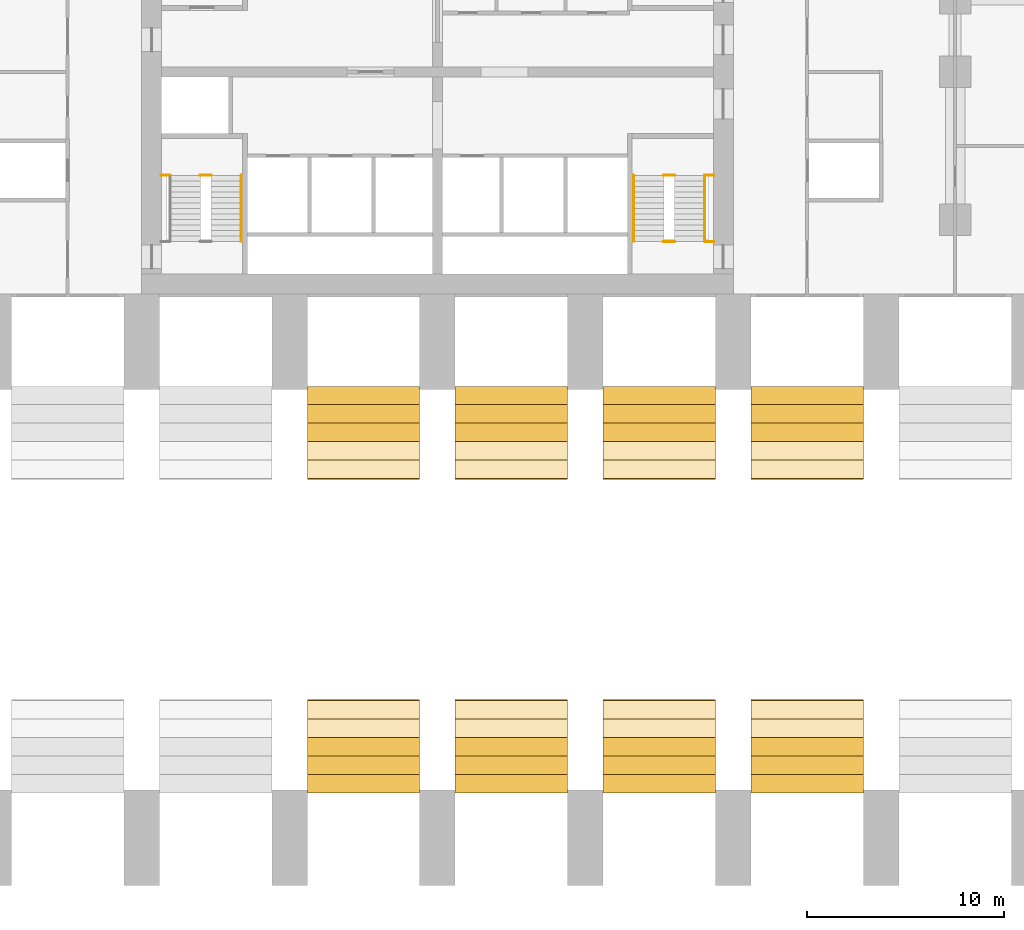
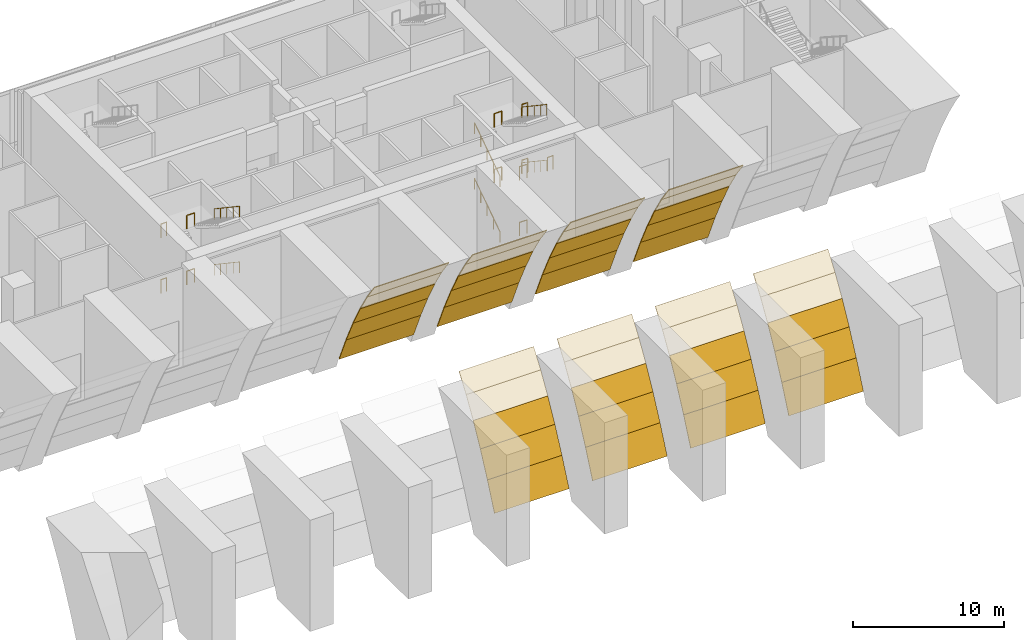
# One storey, part 12 of 14: 40 coverings, 17 railings.
"""IFC4 building model written with IfcOpenShell, lengths in metres."""

from ifc_helpers import new_model, si_unit, direction, frame, origin, origin_2d, place, context, subcontext, project, spatial, polyline, circle, outline, extrude, material, layer, layer_set, type_object, element, save


model = new_model("IFC4")

# Units and contexts
model_context = context("Model", 3, precision=1e-05, world=origin(), true_north=direction((0.0, 1.0)))
body_context = subcontext(model_context, "Body", "Model", "MODEL_VIEW")
ifc_project = project(units=[si_unit("LENGTHUNIT", "METRE"), si_unit("AREAUNIT", "SQUARE_METRE"), si_unit("VOLUMEUNIT", "CUBIC_METRE"), si_unit("PLANEANGLEUNIT", "RADIAN"), si_unit("MASSUNIT", "GRAM", prefix="KILO")], contexts=[model_context])

# Site, building, storey
site_placement = place(None, origin())
site = spatial("IfcSite", under=ifc_project, at=site_placement, CompositionType="ELEMENT")
building_placement = place(site_placement, origin())
building = spatial("IfcBuilding", under=site, at=building_placement, Name="Pilkhan Gate Tower", CompositionType="ELEMENT")
storey_placement = place(building_placement, frame((0.0, 0.0, 7.5)))
storey = spatial("IfcBuildingStorey", under=building, at=storey_placement, Name="L01", CompositionType="ELEMENT", Elevation=7.5)

# Coverings
ifc_material_1 = material(Name="Concrete C40/50 precast", Category="concrete")
ifc_layer = layer(ifc_material_1, 0.06005859375)
ifc_layer_set = layer_set([ifc_layer], Name="Arch soffit panel ARC")
covering_type = type_object("IfcCoveringType", Name="Arch soffit panel ARC", PredefinedType="CLADDING", material=ifc_layer_set)
covering_1_placement = place(storey_placement, frame((68.39990234375, 45.9375, 0.83984375), z_axis=(0.0, -0.915717290087, 0.401823150946), x_axis=(1.0, 0.0, 0.0)))
element("IfcCovering", 1, at=covering_1_placement, inside=storey, type_object=covering_type, Name="Arch soffit panel ARC-5.2", PredefinedType="CLADDING", context=body_context, shape_type="SweptSolid", body=[
    extrude(outline(polyline([(0.0, 0.0), (5.7001953125, 0.0), (5.7001953125, 2.333115943647906), (0.0, 2.333115943647906), (0.0, 0.0)])), origin(), (0.0, 0.0, -1.0), 0.06005859375),
])
covering_2_placement = place(storey_placement, frame((68.39990234375, 46.875, 2.976318359375), z_axis=(0.0, -0.899770845006, 0.436362723519), x_axis=(1.0, 0.0, 0.0)))
element("IfcCovering", 2, at=covering_2_placement, inside=storey, type_object=covering_type, Name="Arch soffit panel ARC-5.3", PredefinedType="CLADDING", context=body_context, shape_type="SweptSolid", body=[
    extrude(outline(polyline([(0.0, 0.0), (5.7001953125, 0.0), (5.7001953125, 2.1484419944022592), (0.0, 2.1484419944022592), (0.0, 0.0)])), origin(), (0.0, 0.0, -1.0), 0.06005859375),
])
covering_3_placement = place(storey_placement, frame((68.39990234375, 47.8125, 4.909423828125), z_axis=(0.0, -0.879144666887, 0.476554986003), x_axis=(1.0, 0.0, 0.0)))
element("IfcCovering", 3, at=covering_3_placement, inside=storey, type_object=covering_type, Name="Arch soffit panel ARC-5.4", PredefinedType="CLADDING", context=body_context, shape_type="SweptSolid", body=[
    extrude(outline(polyline([(0.0, 0.0), (5.7001953125, 0.0), (5.7001953125, 1.967244132440998), (0.0, 1.967244132440998), (0.0, 0.0)])), origin(), (0.0, 0.0, -1.0), 0.06005859375),
])
covering_4_placement = place(storey_placement, frame((68.39990234375, 48.75, 6.638916015625), z_axis=(0.0, -0.852069906961, 0.523428002357), x_axis=(1.0, 0.0, 0.0)))
element("IfcCovering", 4, at=covering_4_placement, inside=storey, type_object=covering_type, Name="Arch soffit panel ARC-5.5", PredefinedType="CLADDING", context=body_context, shape_type="SweptSolid", body=[
    extrude(outline(polyline([(0.0, 0.0), (5.7001953125, 0.0), (5.7001953125, 1.7910772747715364), (0.0, 1.7910772747715364), (0.0, 0.0)])), origin(), (0.0, 0.0, -1.0), 0.06005859375),
])
for number, where, z_axis, x_axis, name in (
    (5, (68.39990234375, 49.6875, 8.1650390625), (0.0, -0.81581427996, 0.578313980994), (1.0, 0.0, 0.0), "Arch soffit panel ARC-5.6"),
    (6, (68.39990234375, 61.875, 9.487548828125), (0.0, 0.81581427996, 0.578313980994), (1.0, 0.0, 0.0), "Arch soffit panel ARC-5.19"),
):
    element("IfcCovering", number, at=place(storey_placement, frame(where, z_axis=z_axis, x_axis=x_axis)), inside=storey, type_object=covering_type, Name=name, PredefinedType="CLADDING", context=body_context, shape_type="SweptSolid", body=[
        extrude(outline(polyline([(0.0, 0.0), (5.7001953125, 0.0), (5.7001953125, 1.6210917093654795), (0.0, 1.6210917093654795), (0.0, 0.0)])), origin(), (0.0, 0.0, -1.0), 0.06005859375),
    ])
covering_5_placement = place(storey_placement, frame((68.39990234375, 62.8125, 8.1650390625), z_axis=(0.0, 0.852069906961, 0.523428002357), x_axis=(1.0, 0.0, 0.0)))
element("IfcCovering", 7, at=covering_5_placement, inside=storey, type_object=covering_type, Name="Arch soffit panel ARC-5.20", PredefinedType="CLADDING", context=body_context, shape_type="SweptSolid", body=[
    extrude(outline(polyline([(0.0, 0.0), (5.7001953125, 0.0), (5.7001953125, 1.7910772747715364), (0.0, 1.7910772747715364), (0.0, 0.0)])), origin(), (0.0, 0.0, -1.0), 0.06005859375),
])
covering_6_placement = place(storey_placement, frame((68.39990234375, 63.75, 6.638916015625), z_axis=(0.0, 0.879144666887, 0.476554986003), x_axis=(1.0, 0.0, 0.0)))
element("IfcCovering", 8, at=covering_6_placement, inside=storey, type_object=covering_type, Name="Arch soffit panel ARC-5.21", PredefinedType="CLADDING", context=body_context, shape_type="SweptSolid", body=[
    extrude(outline(polyline([(0.0, 0.0), (5.7001953125, 0.0), (5.7001953125, 1.967244132440998), (0.0, 1.967244132440998), (0.0, 0.0)])), origin(), (0.0, 0.0, -1.0), 0.06005859375),
])
covering_7_placement = place(storey_placement, frame((68.39990234375, 64.6875, 4.909423828125), z_axis=(0.0, 0.899770845006, 0.436362723519), x_axis=(1.0, 0.0, 0.0)))
element("IfcCovering", 9, at=covering_7_placement, inside=storey, type_object=covering_type, Name="Arch soffit panel ARC-5.22", PredefinedType="CLADDING", context=body_context, shape_type="SweptSolid", body=[
    extrude(outline(polyline([(0.0, 0.0), (5.7001953125, 0.0), (5.7001953125, 2.1484419944022592), (0.0, 2.1484419944022592), (0.0, 0.0)])), origin(), (0.0, 0.0, -1.0), 0.06005859375),
])
for number, where, z_axis, x_axis, name in (
    (10, (68.39990234375, 65.625, 2.976318359375), (0.0, 0.915717290087, 0.401823150946), (1.0, 0.0, 0.0), "Arch soffit panel ARC-5.23"),
    (11, (75.89990234375, 45.9375, 0.83984375), (0.0, -0.915717290087, 0.401823150946), (1.0, 0.0, 0.0), "Arch soffit panel ARC-6.2"),
):
    element("IfcCovering", number, at=place(storey_placement, frame(where, z_axis=z_axis, x_axis=x_axis)), inside=storey, type_object=covering_type, Name=name, PredefinedType="CLADDING", context=body_context, shape_type="SweptSolid", body=[
        extrude(outline(polyline([(0.0, 0.0), (5.7001953125, 0.0), (5.7001953125, 2.333115943647906), (0.0, 2.333115943647906), (0.0, 0.0)])), origin(), (0.0, 0.0, -1.0), 0.06005859375),
    ])
covering_8_placement = place(storey_placement, frame((75.89990234375, 46.875, 2.976318359375), z_axis=(0.0, -0.899770845006, 0.436362723519), x_axis=(1.0, 0.0, 0.0)))
element("IfcCovering", 12, at=covering_8_placement, inside=storey, type_object=covering_type, Name="Arch soffit panel ARC-6.3", PredefinedType="CLADDING", context=body_context, shape_type="SweptSolid", body=[
    extrude(outline(polyline([(0.0, 0.0), (5.7001953125, 0.0), (5.7001953125, 2.1484419944022592), (0.0, 2.1484419944022592), (0.0, 0.0)])), origin(), (0.0, 0.0, -1.0), 0.06005859375),
])
covering_9_placement = place(storey_placement, frame((75.89990234375, 47.8125, 4.909423828125), z_axis=(0.0, -0.879144666887, 0.476554986003), x_axis=(1.0, 0.0, 0.0)))
element("IfcCovering", 13, at=covering_9_placement, inside=storey, type_object=covering_type, Name="Arch soffit panel ARC-6.4", PredefinedType="CLADDING", context=body_context, shape_type="SweptSolid", body=[
    extrude(outline(polyline([(0.0, 0.0), (5.7001953125, 0.0), (5.7001953125, 1.967244132440998), (0.0, 1.967244132440998), (0.0, 0.0)])), origin(), (0.0, 0.0, -1.0), 0.06005859375),
])
covering_10_placement = place(storey_placement, frame((75.89990234375, 48.75, 6.638916015625), z_axis=(0.0, -0.852069906961, 0.523428002357), x_axis=(1.0, 0.0, 0.0)))
element("IfcCovering", 14, at=covering_10_placement, inside=storey, type_object=covering_type, Name="Arch soffit panel ARC-6.5", PredefinedType="CLADDING", context=body_context, shape_type="SweptSolid", body=[
    extrude(outline(polyline([(0.0, 0.0), (5.7001953125, 0.0), (5.7001953125, 1.7910772747715364), (0.0, 1.7910772747715364), (0.0, 0.0)])), origin(), (0.0, 0.0, -1.0), 0.06005859375),
])
for number, where, z_axis, x_axis, name in (
    (15, (75.89990234375, 49.6875, 8.1650390625), (0.0, -0.81581427996, 0.578313980994), (1.0, 0.0, 0.0), "Arch soffit panel ARC-6.6"),
    (16, (75.89990234375, 61.875, 9.487548828125), (0.0, 0.81581427996, 0.578313980994), (1.0, 0.0, 0.0), "Arch soffit panel ARC-6.19"),
):
    element("IfcCovering", number, at=place(storey_placement, frame(where, z_axis=z_axis, x_axis=x_axis)), inside=storey, type_object=covering_type, Name=name, PredefinedType="CLADDING", context=body_context, shape_type="SweptSolid", body=[
        extrude(outline(polyline([(0.0, 0.0), (5.7001953125, 0.0), (5.7001953125, 1.6210917093654795), (0.0, 1.6210917093654795), (0.0, 0.0)])), origin(), (0.0, 0.0, -1.0), 0.06005859375),
    ])
covering_11_placement = place(storey_placement, frame((75.89990234375, 62.8125, 8.1650390625), z_axis=(0.0, 0.852069906961, 0.523428002357), x_axis=(1.0, 0.0, 0.0)))
element("IfcCovering", 17, at=covering_11_placement, inside=storey, type_object=covering_type, Name="Arch soffit panel ARC-6.20", PredefinedType="CLADDING", context=body_context, shape_type="SweptSolid", body=[
    extrude(outline(polyline([(0.0, 0.0), (5.7001953125, 0.0), (5.7001953125, 1.7910772747715364), (0.0, 1.7910772747715364), (0.0, 0.0)])), origin(), (0.0, 0.0, -1.0), 0.06005859375),
])
covering_12_placement = place(storey_placement, frame((75.89990234375, 63.75, 6.638916015625), z_axis=(0.0, 0.879144666887, 0.476554986003), x_axis=(1.0, 0.0, 0.0)))
element("IfcCovering", 18, at=covering_12_placement, inside=storey, type_object=covering_type, Name="Arch soffit panel ARC-6.21", PredefinedType="CLADDING", context=body_context, shape_type="SweptSolid", body=[
    extrude(outline(polyline([(0.0, 0.0), (5.7001953125, 0.0), (5.7001953125, 1.967244132440998), (0.0, 1.967244132440998), (0.0, 0.0)])), origin(), (0.0, 0.0, -1.0), 0.06005859375),
])
covering_13_placement = place(storey_placement, frame((75.89990234375, 64.6875, 4.909423828125), z_axis=(0.0, 0.899770845006, 0.436362723519), x_axis=(1.0, 0.0, 0.0)))
element("IfcCovering", 19, at=covering_13_placement, inside=storey, type_object=covering_type, Name="Arch soffit panel ARC-6.22", PredefinedType="CLADDING", context=body_context, shape_type="SweptSolid", body=[
    extrude(outline(polyline([(0.0, 0.0), (5.7001953125, 0.0), (5.7001953125, 2.1484419944022592), (0.0, 2.1484419944022592), (0.0, 0.0)])), origin(), (0.0, 0.0, -1.0), 0.06005859375),
])
for number, where, z_axis, x_axis, name in (
    (20, (75.89990234375, 65.625, 2.976318359375), (0.0, 0.915717290087, 0.401823150946), (1.0, 0.0, 0.0), "Arch soffit panel ARC-6.23"),
    (21, (83.39990234375, 45.9375, 0.83984375), (0.0, -0.915717290087, 0.401823150946), (1.0, 0.0, 0.0), "Arch soffit panel ARC-7.2"),
):
    element("IfcCovering", number, at=place(storey_placement, frame(where, z_axis=z_axis, x_axis=x_axis)), inside=storey, type_object=covering_type, Name=name, PredefinedType="CLADDING", context=body_context, shape_type="SweptSolid", body=[
        extrude(outline(polyline([(0.0, 0.0), (5.7001953125, 0.0), (5.7001953125, 2.333115943647906), (0.0, 2.333115943647906), (0.0, 0.0)])), origin(), (0.0, 0.0, -1.0), 0.06005859375),
    ])
covering_14_placement = place(storey_placement, frame((83.39990234375, 46.875, 2.976318359375), z_axis=(0.0, -0.899770845006, 0.436362723519), x_axis=(1.0, 0.0, 0.0)))
element("IfcCovering", 22, at=covering_14_placement, inside=storey, type_object=covering_type, Name="Arch soffit panel ARC-7.3", PredefinedType="CLADDING", context=body_context, shape_type="SweptSolid", body=[
    extrude(outline(polyline([(0.0, 0.0), (5.7001953125, 0.0), (5.7001953125, 2.1484419944022592), (0.0, 2.1484419944022592), (0.0, 0.0)])), origin(), (0.0, 0.0, -1.0), 0.06005859375),
])
covering_15_placement = place(storey_placement, frame((83.39990234375, 47.8125, 4.909423828125), z_axis=(0.0, -0.879144666887, 0.476554986003), x_axis=(1.0, 0.0, 0.0)))
element("IfcCovering", 23, at=covering_15_placement, inside=storey, type_object=covering_type, Name="Arch soffit panel ARC-7.4", PredefinedType="CLADDING", context=body_context, shape_type="SweptSolid", body=[
    extrude(outline(polyline([(0.0, 0.0), (5.7001953125, 0.0), (5.7001953125, 1.967244132440998), (0.0, 1.967244132440998), (0.0, 0.0)])), origin(), (0.0, 0.0, -1.0), 0.06005859375),
])
covering_16_placement = place(storey_placement, frame((83.39990234375, 48.75, 6.638916015625), z_axis=(0.0, -0.852069906961, 0.523428002357), x_axis=(1.0, 0.0, 0.0)))
element("IfcCovering", 24, at=covering_16_placement, inside=storey, type_object=covering_type, Name="Arch soffit panel ARC-7.5", PredefinedType="CLADDING", context=body_context, shape_type="SweptSolid", body=[
    extrude(outline(polyline([(0.0, 0.0), (5.7001953125, 0.0), (5.7001953125, 1.7910772747715364), (0.0, 1.7910772747715364), (0.0, 0.0)])), origin(), (0.0, 0.0, -1.0), 0.06005859375),
])
for number, where, z_axis, x_axis, name in (
    (25, (83.39990234375, 49.6875, 8.1650390625), (0.0, -0.81581427996, 0.578313980994), (1.0, 0.0, 0.0), "Arch soffit panel ARC-7.6"),
    (26, (83.39990234375, 61.875, 9.487548828125), (0.0, 0.81581427996, 0.578313980994), (1.0, 0.0, 0.0), "Arch soffit panel ARC-7.19"),
):
    element("IfcCovering", number, at=place(storey_placement, frame(where, z_axis=z_axis, x_axis=x_axis)), inside=storey, type_object=covering_type, Name=name, PredefinedType="CLADDING", context=body_context, shape_type="SweptSolid", body=[
        extrude(outline(polyline([(0.0, 0.0), (5.7001953125, 0.0), (5.7001953125, 1.6210917093654795), (0.0, 1.6210917093654795), (0.0, 0.0)])), origin(), (0.0, 0.0, -1.0), 0.06005859375),
    ])
covering_17_placement = place(storey_placement, frame((83.39990234375, 62.8125, 8.1650390625), z_axis=(0.0, 0.852069906961, 0.523428002357), x_axis=(1.0, 0.0, 0.0)))
element("IfcCovering", 27, at=covering_17_placement, inside=storey, type_object=covering_type, Name="Arch soffit panel ARC-7.20", PredefinedType="CLADDING", context=body_context, shape_type="SweptSolid", body=[
    extrude(outline(polyline([(0.0, 0.0), (5.7001953125, 0.0), (5.7001953125, 1.7910772747715364), (0.0, 1.7910772747715364), (0.0, 0.0)])), origin(), (0.0, 0.0, -1.0), 0.06005859375),
])
covering_18_placement = place(storey_placement, frame((83.39990234375, 63.75, 6.638916015625), z_axis=(0.0, 0.879144666887, 0.476554986003), x_axis=(1.0, 0.0, 0.0)))
element("IfcCovering", 28, at=covering_18_placement, inside=storey, type_object=covering_type, Name="Arch soffit panel ARC-7.21", PredefinedType="CLADDING", context=body_context, shape_type="SweptSolid", body=[
    extrude(outline(polyline([(0.0, 0.0), (5.7001953125, 0.0), (5.7001953125, 1.967244132440998), (0.0, 1.967244132440998), (0.0, 0.0)])), origin(), (0.0, 0.0, -1.0), 0.06005859375),
])
covering_19_placement = place(storey_placement, frame((83.39990234375, 64.6875, 4.909423828125), z_axis=(0.0, 0.899770845006, 0.436362723519), x_axis=(1.0, 0.0, 0.0)))
element("IfcCovering", 29, at=covering_19_placement, inside=storey, type_object=covering_type, Name="Arch soffit panel ARC-7.22", PredefinedType="CLADDING", context=body_context, shape_type="SweptSolid", body=[
    extrude(outline(polyline([(0.0, 0.0), (5.7001953125, 0.0), (5.7001953125, 2.1484419944022592), (0.0, 2.1484419944022592), (0.0, 0.0)])), origin(), (0.0, 0.0, -1.0), 0.06005859375),
])
for number, where, z_axis, x_axis, name in (
    (30, (83.39990234375, 65.625, 2.976318359375), (0.0, 0.915717290087, 0.401823150946), (1.0, 0.0, 0.0), "Arch soffit panel ARC-7.23"),
    (31, (90.89990234375, 45.9375, 0.83984375), (0.0, -0.915717290087, 0.401823150946), (1.0, 0.0, 0.0), "Arch soffit panel ARC-8.2"),
):
    element("IfcCovering", number, at=place(storey_placement, frame(where, z_axis=z_axis, x_axis=x_axis)), inside=storey, type_object=covering_type, Name=name, PredefinedType="CLADDING", context=body_context, shape_type="SweptSolid", body=[
        extrude(outline(polyline([(0.0, 0.0), (5.7001953125, 0.0), (5.7001953125, 2.333115943647906), (0.0, 2.333115943647906), (0.0, 0.0)])), origin(), (0.0, 0.0, -1.0), 0.06005859375),
    ])
covering_20_placement = place(storey_placement, frame((90.89990234375, 46.875, 2.976318359375), z_axis=(0.0, -0.899770845006, 0.436362723519), x_axis=(1.0, 0.0, 0.0)))
element("IfcCovering", 32, at=covering_20_placement, inside=storey, type_object=covering_type, Name="Arch soffit panel ARC-8.3", PredefinedType="CLADDING", context=body_context, shape_type="SweptSolid", body=[
    extrude(outline(polyline([(0.0, 0.0), (5.7001953125, 0.0), (5.7001953125, 2.1484419944022592), (0.0, 2.1484419944022592), (0.0, 0.0)])), origin(), (0.0, 0.0, -1.0), 0.06005859375),
])
covering_21_placement = place(storey_placement, frame((90.89990234375, 47.8125, 4.909423828125), z_axis=(0.0, -0.879144666887, 0.476554986003), x_axis=(1.0, 0.0, 0.0)))
element("IfcCovering", 33, at=covering_21_placement, inside=storey, type_object=covering_type, Name="Arch soffit panel ARC-8.4", PredefinedType="CLADDING", context=body_context, shape_type="SweptSolid", body=[
    extrude(outline(polyline([(0.0, 0.0), (5.7001953125, 0.0), (5.7001953125, 1.967244132440998), (0.0, 1.967244132440998), (0.0, 0.0)])), origin(), (0.0, 0.0, -1.0), 0.06005859375),
])
covering_22_placement = place(storey_placement, frame((90.89990234375, 48.75, 6.638916015625), z_axis=(0.0, -0.852069906961, 0.523428002357), x_axis=(1.0, 0.0, 0.0)))
element("IfcCovering", 34, at=covering_22_placement, inside=storey, type_object=covering_type, Name="Arch soffit panel ARC-8.5", PredefinedType="CLADDING", context=body_context, shape_type="SweptSolid", body=[
    extrude(outline(polyline([(0.0, 0.0), (5.7001953125, 0.0), (5.7001953125, 1.7910772747715364), (0.0, 1.7910772747715364), (0.0, 0.0)])), origin(), (0.0, 0.0, -1.0), 0.06005859375),
])
for number, where, z_axis, x_axis, name in (
    (35, (90.89990234375, 49.6875, 8.1650390625), (0.0, -0.81581427996, 0.578313980994), (1.0, 0.0, 0.0), "Arch soffit panel ARC-8.6"),
    (36, (90.89990234375, 61.875, 9.487548828125), (0.0, 0.81581427996, 0.578313980994), (1.0, 0.0, 0.0), "Arch soffit panel ARC-8.19"),
):
    element("IfcCovering", number, at=place(storey_placement, frame(where, z_axis=z_axis, x_axis=x_axis)), inside=storey, type_object=covering_type, Name=name, PredefinedType="CLADDING", context=body_context, shape_type="SweptSolid", body=[
        extrude(outline(polyline([(0.0, 0.0), (5.7001953125, 0.0), (5.7001953125, 1.6210917093654795), (0.0, 1.6210917093654795), (0.0, 0.0)])), origin(), (0.0, 0.0, -1.0), 0.06005859375),
    ])
covering_23_placement = place(storey_placement, frame((90.89990234375, 62.8125, 8.1650390625), z_axis=(0.0, 0.852069906961, 0.523428002357), x_axis=(1.0, 0.0, 0.0)))
element("IfcCovering", 37, at=covering_23_placement, inside=storey, type_object=covering_type, Name="Arch soffit panel ARC-8.20", PredefinedType="CLADDING", context=body_context, shape_type="SweptSolid", body=[
    extrude(outline(polyline([(0.0, 0.0), (5.7001953125, 0.0), (5.7001953125, 1.7910772747715364), (0.0, 1.7910772747715364), (0.0, 0.0)])), origin(), (0.0, 0.0, -1.0), 0.06005859375),
])
covering_24_placement = place(storey_placement, frame((90.89990234375, 63.75, 6.638916015625), z_axis=(0.0, 0.879144666887, 0.476554986003), x_axis=(1.0, 0.0, 0.0)))
element("IfcCovering", 38, at=covering_24_placement, inside=storey, type_object=covering_type, Name="Arch soffit panel ARC-8.21", PredefinedType="CLADDING", context=body_context, shape_type="SweptSolid", body=[
    extrude(outline(polyline([(0.0, 0.0), (5.7001953125, 0.0), (5.7001953125, 1.967244132440998), (0.0, 1.967244132440998), (0.0, 0.0)])), origin(), (0.0, 0.0, -1.0), 0.06005859375),
])
covering_25_placement = place(storey_placement, frame((90.89990234375, 64.6875, 4.909423828125), z_axis=(0.0, 0.899770845006, 0.436362723519), x_axis=(1.0, 0.0, 0.0)))
element("IfcCovering", 39, at=covering_25_placement, inside=storey, type_object=covering_type, Name="Arch soffit panel ARC-8.22", PredefinedType="CLADDING", context=body_context, shape_type="SweptSolid", body=[
    extrude(outline(polyline([(0.0, 0.0), (5.7001953125, 0.0), (5.7001953125, 2.1484419944022592), (0.0, 2.1484419944022592), (0.0, 0.0)])), origin(), (0.0, 0.0, -1.0), 0.06005859375),
])
covering_26_placement = place(storey_placement, frame((90.89990234375, 65.625, 2.976318359375), z_axis=(0.0, 0.915717290087, 0.401823150946), x_axis=(1.0, 0.0, 0.0)))
element("IfcCovering", 40, at=covering_26_placement, inside=storey, type_object=covering_type, Name="Arch soffit panel ARC-8.23", PredefinedType="CLADDING", context=body_context, shape_type="SweptSolid", body=[
    extrude(outline(polyline([(0.0, 0.0), (5.7001953125, 0.0), (5.7001953125, 2.333115943647906), (0.0, 2.333115943647906), (0.0, 0.0)])), origin(), (0.0, 0.0, -1.0), 0.06005859375),
])

# Railings
ifc_material_2 = material(Name="Black powder-coated steel tube", Category="steel")
railing_type_1 = type_object("IfcRailingType", Name="Stair handrail HR1", PredefinedType="HANDRAIL", material=ifc_material_2)
railing_1_placement = place(storey_placement, frame((84.949951171875, 73.89990234375, 0.0)))
element("IfcRailing", 41, at=railing_1_placement, inside=storey, type_object=railing_type_1, Name="Stair ST1 handrail L01", PredefinedType="HANDRAIL", context=body_context, shape_type="SweptSolid", body=[
    extrude(circle(Radius=0.02392578125, at=origin_2d()), frame((0.0, 0.0, 0.8759765625), z_axis=(0.0, 0.830915400975, 0.556398774641), x_axis=(-1.0, 0.0, 0.0)), (0.0, 0.0, 1.0), 4.0439453125),
    extrude(circle(Radius=0.02099609375, at=origin_2d()), origin(), (0.0, 0.0, 1.0), 0.851806640625),
    extrude(circle(Radius=0.02099609375, at=origin_2d()), frame((0.0, 0.840087890625, 0.5625)), (0.0, 0.0, 1.0), 0.851806640625),
    extrude(circle(Radius=0.02099609375, at=origin_2d()), frame((0.0, 1.68017578125, 1.125)), (0.0, 0.0, 1.0), 0.851806640625),
    extrude(circle(Radius=0.02099609375, at=origin_2d()), frame((0.0, 2.52001953125, 1.6875)), (0.0, 0.0, 1.0), 0.851806640625),
    extrude(circle(Radius=0.02099609375, at=origin_2d()), frame((0.0, 3.360107421875, 2.25)), (0.0, 0.0, 1.0), 0.851806640625),
])
railing_2_placement = place(storey_placement, frame((88.550048828125, 77.260009765625, 2.25)))
element("IfcRailing", 42, at=railing_2_placement, inside=storey, type_object=railing_type_1, Name="Stair ST1 handrail L01", PredefinedType="HANDRAIL", context=body_context, shape_type="SweptSolid", body=[
    extrude(circle(Radius=0.02392578125, at=origin_2d()), frame((0.0, 0.0, 0.8759765625), z_axis=(0.0, -0.830915400975, 0.556398774641), x_axis=(1.0, 0.0, 0.0)), (0.0, 0.0, 1.0), 4.0439453125),
    extrude(circle(Radius=0.02099609375, at=origin_2d()), origin(), (0.0, 0.0, 1.0), 0.851806640625),
    extrude(circle(Radius=0.02099609375, at=origin_2d()), frame((0.0, -0.840087890625, 0.5625)), (0.0, 0.0, 1.0), 0.851806640625),
    extrude(circle(Radius=0.02099609375, at=origin_2d()), frame((0.0, -1.68017578125, 1.125)), (0.0, 0.0, 1.0), 0.851806640625),
    extrude(circle(Radius=0.02099609375, at=origin_2d()), frame((0.0, -2.52001953125, 1.6875)), (0.0, 0.0, 1.0), 0.851806640625),
    extrude(circle(Radius=0.02099609375, at=origin_2d()), frame((0.0, -3.360107421875, 2.25)), (0.0, 0.0, 1.0), 0.851806640625),
])
railing_3_placement = place(storey_placement, frame((84.949951171875, 73.89990234375, 4.5)))
element("IfcRailing", 43, at=railing_3_placement, inside=storey, type_object=railing_type_1, Name="Stair ST1 handrail L01", PredefinedType="HANDRAIL", context=body_context, shape_type="SweptSolid", body=[
    extrude(circle(Radius=0.02392578125, at=origin_2d()), frame((0.0, 0.0, 0.8759765625), z_axis=(0.0, 0.830915400975, 0.556398774641), x_axis=(-1.0, 0.0, 0.0)), (0.0, 0.0, 1.0), 4.0439453125),
    extrude(circle(Radius=0.02099609375, at=origin_2d()), origin(), (0.0, 0.0, 1.0), 0.851806640625),
    extrude(circle(Radius=0.02099609375, at=origin_2d()), frame((0.0, 0.840087890625, 0.5625)), (0.0, 0.0, 1.0), 0.851806640625),
    extrude(circle(Radius=0.02099609375, at=origin_2d()), frame((0.0, 1.68017578125, 1.125)), (0.0, 0.0, 1.0), 0.851806640625),
    extrude(circle(Radius=0.02099609375, at=origin_2d()), frame((0.0, 2.52001953125, 1.6875)), (0.0, 0.0, 1.0), 0.851806640625),
    extrude(circle(Radius=0.02099609375, at=origin_2d()), frame((0.0, 3.360107421875, 2.25)), (0.0, 0.0, 1.0), 0.851806640625),
])
for number, where, name in (
    (44, (88.550048828125, 77.260009765625, 6.75), "Stair ST1 handrail L01"),
    (45, (65.050048828125, 77.260009765625, 2.25), "Stair ST2 handrail L01"),
    (46, (65.050048828125, 77.260009765625, 6.75), "Stair ST2 handrail L01"),
):
    element("IfcRailing", number, at=place(storey_placement, frame(where)), inside=storey, type_object=railing_type_1, Name=name, PredefinedType="HANDRAIL", context=body_context, shape_type="SweptSolid", body=[
        extrude(circle(Radius=0.02392578125, at=origin_2d()), frame((0.0, 0.0, 0.8759765625), z_axis=(0.0, -0.830915400975, 0.556398774641), x_axis=(1.0, 0.0, 0.0)), (0.0, 0.0, 1.0), 4.0439453125),
        extrude(circle(Radius=0.02099609375, at=origin_2d()), origin(), (0.0, 0.0, 1.0), 0.851806640625),
        extrude(circle(Radius=0.02099609375, at=origin_2d()), frame((0.0, -0.840087890625, 0.5625)), (0.0, 0.0, 1.0), 0.851806640625),
        extrude(circle(Radius=0.02099609375, at=origin_2d()), frame((0.0, -1.68017578125, 1.125)), (0.0, 0.0, 1.0), 0.851806640625),
        extrude(circle(Radius=0.02099609375, at=origin_2d()), frame((0.0, -2.52001953125, 1.6875)), (0.0, 0.0, 1.0), 0.851806640625),
        extrude(circle(Radius=0.02099609375, at=origin_2d()), frame((0.0, -3.360107421875, 2.25)), (0.0, 0.0, 1.0), 0.851806640625),
    ])
ifc_material_3 = material(Name="Black powder-coated steel balusters", Category="steel")
railing_type_2 = type_object("IfcRailingType", Name="Stair well guard G3", PredefinedType="GUARDRAIL", material=ifc_material_3)
for number, where, name in (
    (47, (88.580078125, 77.260009765625, 2.25), "Stair ST1 well guard L01"),
    (48, (88.580078125, 73.89990234375, 4.5), "Stair ST1 well guard L01"),
    (49, (88.580078125, 77.260009765625, 6.75), "Stair ST1 well guard L01"),
):
    element("IfcRailing", number, at=place(storey_placement, frame(where)), inside=storey, type_object=railing_type_2, Name=name, PredefinedType="GUARDRAIL", context=body_context, shape_type="SweptSolid", body=[
        extrude(circle(Radius=0.02392578125, at=origin_2d()), frame((0.0, 0.0, 1.076171875), z_axis=(1.0, 0.0, 0.0), x_axis=(0.0, 1.0, 0.0)), (0.0, 0.0, 1.0), 0.43994140625),
        extrude(circle(Radius=0.02099609375, at=origin_2d()), origin(), (0.0, 0.0, 1.0), 1.052001953125),
        extrude(circle(Radius=0.02099609375, at=origin_2d()), frame((0.43994140625, 0.0, 0.0)), (0.0, 0.0, 1.0), 1.052001953125),
    ])
for number, where, name in (
    (50, (86.4599609375, 73.89990234375, 0.0), "Stair ST1 well guard L01"),
    (51, (86.4599609375, 77.260009765625, 2.25), "Stair ST1 well guard L01"),
    (52, (86.4599609375, 73.89990234375, 4.5), "Stair ST1 well guard L01"),
    (53, (86.4599609375, 77.260009765625, 6.75), "Stair ST1 well guard L01"),
):
    element("IfcRailing", number, at=place(storey_placement, frame(where)), inside=storey, type_object=railing_type_2, Name=name, PredefinedType="GUARDRAIL", context=body_context, shape_type="SweptSolid", body=[
        extrude(circle(Radius=0.02392578125, at=origin_2d()), frame((0.0, 0.0, 1.076171875), z_axis=(1.0, 0.0, 0.0), x_axis=(0.0, 1.0, 0.0)), (0.0, 0.0, 1.0), 0.580078125),
        extrude(circle(Radius=0.02099609375, at=origin_2d()), origin(), (0.0, 0.0, 1.0), 1.052001953125),
        extrude(circle(Radius=0.02099609375, at=origin_2d()), frame((0.580078125, 0.0, 0.0)), (0.0, 0.0, 1.0), 1.052001953125),
    ])
for number, where, name in (
    (54, (60.97998046875, 77.260009765625, 2.25), "Stair ST2 well guard L01"),
    (55, (60.97998046875, 77.260009765625, 6.75), "Stair ST2 well guard L01"),
):
    element("IfcRailing", number, at=place(storey_placement, frame(where)), inside=storey, type_object=railing_type_2, Name=name, PredefinedType="GUARDRAIL", context=body_context, shape_type="SweptSolid", body=[
        extrude(circle(Radius=0.02392578125, at=origin_2d()), frame((0.0, 0.0, 1.076171875), z_axis=(1.0, 0.0, 0.0), x_axis=(0.0, 1.0, 0.0)), (0.0, 0.0, 1.0), 0.43994140625),
        extrude(circle(Radius=0.02099609375, at=origin_2d()), origin(), (0.0, 0.0, 1.0), 1.052001953125),
        extrude(circle(Radius=0.02099609375, at=origin_2d()), frame((0.43994140625, 0.0, 0.0)), (0.0, 0.0, 1.0), 1.052001953125),
    ])
for number, where, name in (
    (56, (62.9599609375, 77.260009765625, 2.25), "Stair ST2 well guard L01"),
    (57, (62.9599609375, 77.260009765625, 6.75), "Stair ST2 well guard L01"),
):
    element("IfcRailing", number, at=place(storey_placement, frame(where)), inside=storey, type_object=railing_type_2, Name=name, PredefinedType="GUARDRAIL", context=body_context, shape_type="SweptSolid", body=[
        extrude(circle(Radius=0.02392578125, at=origin_2d()), frame((0.0, 0.0, 1.076171875), z_axis=(1.0, 0.0, 0.0), x_axis=(0.0, 1.0, 0.0)), (0.0, 0.0, 1.0), 0.580078125),
        extrude(circle(Radius=0.02099609375, at=origin_2d()), origin(), (0.0, 0.0, 1.0), 1.052001953125),
        extrude(circle(Radius=0.02099609375, at=origin_2d()), frame((0.580078125, 0.0, 0.0)), (0.0, 0.0, 1.0), 1.052001953125),
    ])

save(model, "model.ifc")
